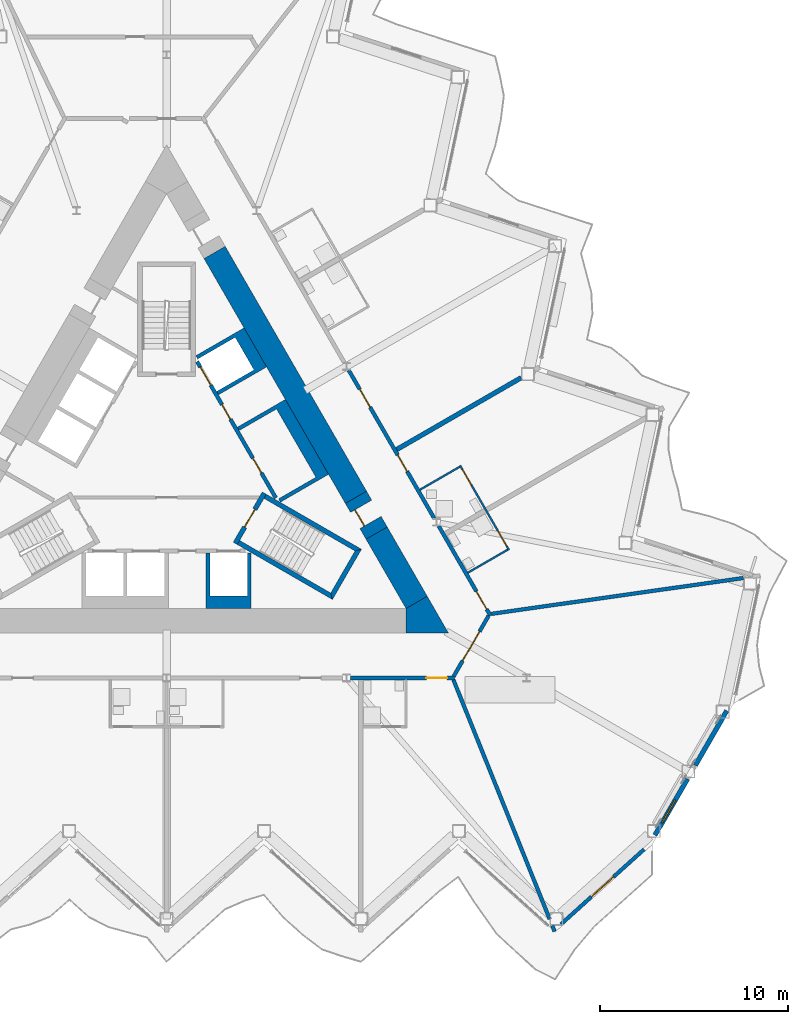
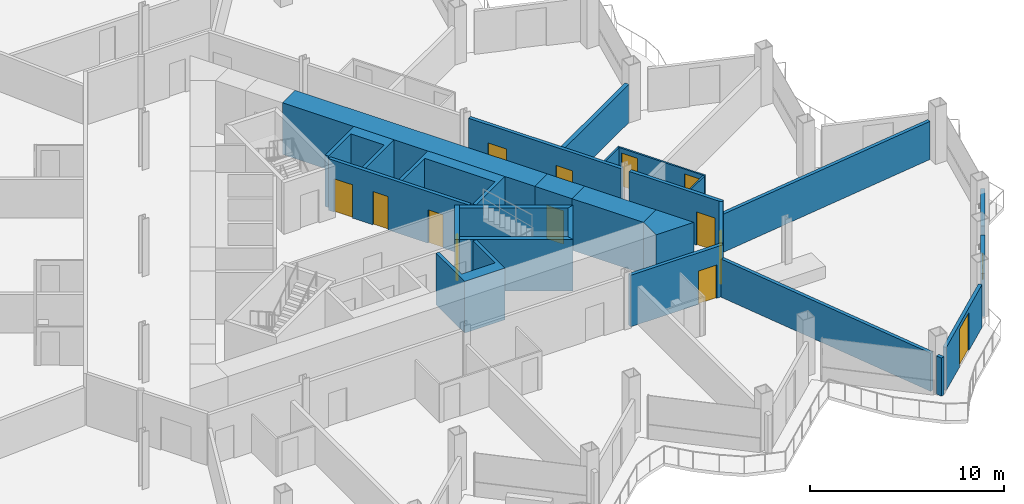
# One storey, part 13 of 24: 26 walls, 13 doors, 1 window, 14 openings.
"""IFC4 building model written with IfcOpenShell, lengths in metres."""

import ifcopenshell
import ifcopenshell.guid

model = None  # the IFC model being written
_history = None  # IfcOwnerHistory: only IFC2X3 demands one
_inside = {}  # id of a spatial element -> (the spatial element, [elements in it])
_under = {}  # id of a project, library or spatial element -> (it, [spatial elements below it])
_declared = {}  # id of a project -> (the project, [libraries it declares])
_typed = {}  # id of a type object -> (the type object, [elements of that type])
_made_of = {}  # id of a material, layer set ... -> (it, [elements and type objects made of it])


def new_model(schema):
    """Start an empty IFC model of exactly this schema.

    Asked for "IFC4X3", IfcOpenShell would pick the latest addendum, in which some entities
    have other attributes; the version numbers below select the first issue.
    IFC2X3 requires an IfcOwnerHistory on every rooted entity: one is made here for all.
    """
    global model, _history
    if schema == "IFC4X3":
        model = ifcopenshell.file(schema_version=(4, 3, 0, 0))
    else:
        model = ifcopenshell.file(schema=schema)
    _inside.clear()
    _under.clear()
    _declared.clear()
    _typed.clear()
    _made_of.clear()
    _history = None
    if model.schema == "IFC2X3":
        org = make("IfcOrganization", Name="unknown")
        user = make(
            "IfcPersonAndOrganization",
            ThePerson=make("IfcPerson", FamilyName="unknown"),
            TheOrganization=org,
        )
        app = make(
            "IfcApplication",
            ApplicationDeveloper=org,
            Version="unknown",
            ApplicationFullName="unknown",
            ApplicationIdentifier="unknown",
        )
        _history = make(
            "IfcOwnerHistory",
            OwningUser=user,
            OwningApplication=app,
            ChangeAction="ADDED",
            CreationDate=0,
        )
    return model


def make(cls, **values):
    """One entity of the class cls with the attributes given. An attribute that is None is left unset."""
    return model.create_entity(
        cls, **{name: value for name, value in values.items() if value is not None}
    )


def rooted(cls, **values):
    """An entity with a GlobalId (a new one), such as an element, a storey or a relation."""
    return make(cls, GlobalId=ifcopenshell.guid.new(), OwnerHistory=_history, **values)


def si_unit(unit_type, name, prefix=None):
    """IfcSIUnit, for example si_unit("LENGTHUNIT", "METRE", prefix="MILLI")."""
    return make("IfcSIUnit", UnitType=unit_type, Prefix=prefix, Name=name)


def assignment(units):
    """IfcUnitAssignment: the units of a project."""
    return None if units is None else make("IfcUnitAssignment", Units=units)


def point(xyz):
    """IfcCartesianPoint."""
    return None if xyz is None else make("IfcCartesianPoint", Coordinates=xyz)


def direction(xyz):
    """IfcDirection."""
    return None if xyz is None else make("IfcDirection", DirectionRatios=xyz)


def frame(location, z_axis=None, x_axis=None):
    """IfcAxis2Placement3D, a coordinate frame: its origin and axes. An axis left out is left unset."""
    return make(
        "IfcAxis2Placement3D",
        Location=point(location),
        Axis=direction(z_axis),
        RefDirection=direction(x_axis),
    )


def frame_2d(location, x_axis=None):
    """IfcAxis2Placement2D, a coordinate frame in the plane: its origin and x axis."""
    return make(
        "IfcAxis2Placement2D", Location=point(location), RefDirection=direction(x_axis)
    )


def origin():
    """The frame at (0, 0, 0) with its axes left unset."""
    return frame((0.0, 0.0, 0.0))


def place(relative_to, where):
    """IfcLocalPlacement: puts the frame where relative to a parent placement (None: the world)."""
    return make(
        "IfcLocalPlacement", PlacementRelTo=relative_to, RelativePlacement=where
    )


def context(
    kind, dimensions, precision=None, world=None, true_north=None, identifier=None
):
    """IfcGeometricRepresentationContext, for example the 3D "Model" context."""
    return make(
        "IfcGeometricRepresentationContext",
        ContextIdentifier=identifier,
        ContextType=kind,
        CoordinateSpaceDimension=dimensions,
        Precision=precision,
        WorldCoordinateSystem=world,
        TrueNorth=true_north,
    )


def subcontext(parent, identifier, kind, view, scale=None):
    """IfcGeometricRepresentationSubContext, for example "Body" below "Model"."""
    return make(
        "IfcGeometricRepresentationSubContext",
        ContextIdentifier=identifier,
        ContextType=kind,
        ParentContext=parent,
        TargetScale=scale,
        TargetView=view,
    )


def project(units=None, contexts=None):
    """IfcProject with its units and contexts."""
    return rooted(
        "IfcProject",
        Name="project",
        RepresentationContexts=contexts,
        UnitsInContext=assignment(units),
    )


def spatial(cls, under=None, at=None, **own):
    """A site, building, storey or space (cls), placed at a placement, below another one or the project."""
    s = rooted(cls, ObjectPlacement=at, **own)
    if under is not None:
        _under.setdefault(under.id(), (under, []))[1].append(s)
    return s


def polyline(points):
    """IfcPolyline through the points."""
    return make("IfcPolyline", Points=[point(p) for p in points])


def profile(cls, at=None, kind="AREA", **sizes):
    """A parametric profile (cls). Its sizes go by their IFC names, for example OverallWidth=200.0."""
    return make(cls, ProfileType=kind, Position=at, **sizes)


def rectangle(**sizes):
    """IfcRectangleProfileDef."""
    return profile("IfcRectangleProfileDef", **sizes)


def outline(outer, holes=None, kind="AREA"):
    """IfcArbitraryClosedProfileDef: a profile drawn as a closed curve; with holes, ...WithVoids."""
    if holes is None:
        return make("IfcArbitraryClosedProfileDef", ProfileType=kind, OuterCurve=outer)
    return make(
        "IfcArbitraryProfileDefWithVoids",
        ProfileType=kind,
        OuterCurve=outer,
        InnerCurves=holes,
    )


def extrude(swept, where, along, depth):
    """IfcExtrudedAreaSolid: the profile swept, set in the frame where, extruded along a direction by depth."""
    return make(
        "IfcExtrudedAreaSolid",
        SweptArea=swept,
        Position=where,
        ExtrudedDirection=direction(along),
        Depth=depth,
    )


def shape(context_of_items, identifier, shape_type, items):
    """IfcShapeRepresentation: the items that make up one representation, for example the "Body"."""
    return make(
        "IfcShapeRepresentation",
        ContextOfItems=context_of_items,
        RepresentationIdentifier=identifier,
        RepresentationType=shape_type,
        Items=items,
    )


def material(Name=None, Category=None):
    """IfcMaterial."""
    return make("IfcMaterial", Name=Name, Category=Category)


def layer(
    of_material, thickness, ventilated=None, Name=None, Category=None, Priority=None
):
    """IfcMaterialLayer: one layer of a wall or slab, of a material (None: an air gap)."""
    return make(
        "IfcMaterialLayer",
        Material=of_material,
        LayerThickness=thickness,
        IsVentilated=ventilated,
        Name=Name,
        Category=Category,
        Priority=Priority,
    )


def layer_set(layers, Name=None):
    """IfcMaterialLayerSet."""
    return make("IfcMaterialLayerSet", MaterialLayers=layers, LayerSetName=Name)


def made_of(thing, what):
    """Note that an element or type object is made of a material, layer set ...; save() writes the relation."""
    if what is not None:
        _made_of.setdefault(what.id(), (what, []))[1].append(thing)
    return thing


def type_object(cls, material=None, **own):
    """A type object (cls), such as IfcWallType, which elements share."""
    return made_of(rooted(cls, **own), material)


def element(
    cls,
    number,
    at=None,
    inside=None,
    cuts=None,
    type_object=None,
    material=None,
    context=None,
    identifier="Body",
    shape_type=None,
    held_by="IfcProductDefinitionShape",
    body=None,
    shapes=None,
    **own,
):
    """One element of the class cls, such as IfcWall. Its Tag is "e" and its number.

    at: its placement. inside: the storey or other place that contains it. cuts: it is an
    opening in that element (IfcRelVoidsElement). A single representation is given by context,
    identifier, shape_type and body (its items); several are given by shapes. held_by: the class
    of the entity that holds the representations. save() writes the other relations.
    """
    e = rooted(cls, Tag="e%d" % number, ObjectPlacement=at, **own)
    if body is not None:
        shapes = [shape(context, identifier, shape_type, body)]
    if shapes is not None:
        e.Representation = make(held_by, Representations=shapes)
    if inside is not None:
        _inside.setdefault(inside.id(), (inside, []))[1].append(e)
    if cuts is not None:
        rooted(
            "IfcRelVoidsElement", RelatingBuildingElement=cuts, RelatedOpeningElement=e
        )
    if type_object is not None:
        _typed.setdefault(type_object.id(), (type_object, []))[1].append(e)
    return made_of(e, material)


def fill(opening, filler):
    """IfcRelFillsElement: the door or window that sits in an opening."""
    return rooted(
        "IfcRelFillsElement",
        RelatingOpeningElement=opening,
        RelatedBuildingElement=filler,
    )


def aggregate(whole, parts):
    """IfcRelAggregates: a whole, such as a stair, and the parts it consists of."""
    return rooted("IfcRelAggregates", RelatingObject=whole, RelatedObjects=parts)


def save(model, path):
    """Write the relations noted so far, then the file.

    IfcRelAggregates (storeys below a building ...), IfcRelContainedInSpatialStructure (elements
    in a storey), IfcRelDefinesByType, IfcRelAssociatesMaterial and IfcRelDeclares: one each for
    every whole, place, type object, material and project.
    """
    for whole, parts in _under.values():
        aggregate(whole, parts)
    for where, things in _inside.values():
        rooted(
            "IfcRelContainedInSpatialStructure",
            RelatedElements=things,
            RelatingStructure=where,
        )
    for kind, things in _typed.values():
        rooted("IfcRelDefinesByType", RelatedObjects=things, RelatingType=kind)
    for what, things in _made_of.values():
        rooted("IfcRelAssociatesMaterial", RelatedObjects=things, RelatingMaterial=what)
    for by, libraries in _declared.values():
        rooted("IfcRelDeclares", RelatingContext=by, RelatedDefinitions=libraries)
    model.write(path)


model = new_model("IFC4")

# Units and contexts
model_context = context("Model", 3, precision=1e-05, world=origin(), true_north=direction((0.0, 1.0)))
body_context = subcontext(model_context, "Body", "Model", "MODEL_VIEW")
ifc_project = project(units=[si_unit("LENGTHUNIT", "METRE"), si_unit("AREAUNIT", "SQUARE_METRE"), si_unit("VOLUMEUNIT", "CUBIC_METRE"), si_unit("PLANEANGLEUNIT", "RADIAN"), si_unit("MASSUNIT", "GRAM", prefix="KILO")], contexts=[model_context])

# Site, building, storey
site_placement = place(None, origin())
site = spatial("IfcSite", under=ifc_project, at=site_placement, CompositionType="ELEMENT")
building_placement = place(site_placement, origin())
building = spatial("IfcBuilding", under=site, at=building_placement, Name="Cormorant Prow Tower", CompositionType="ELEMENT")
storey_placement = place(building_placement, frame((0.0, 0.0, 231.0)))
storey = spatial("IfcBuildingStorey", under=building, at=storey_placement, Name="L50", CompositionType="ELEMENT", Elevation=231.0)

# Walls
ifc_material_1 = material(Name="Concrete 8000 psi", Category="concrete")
ifc_layer_1 = layer(ifc_material_1, 1.300048828125)
ifc_layer_set_1 = layer_set([ifc_layer_1], Name="Concrete 8000 psi")
wall_type_1 = type_object("IfcWallType", Name="Core shear wall 1300", PredefinedType="SHEAR", material=ifc_layer_set_1)
wall_1_placement = place(storey_placement, frame((10.081298828125, -1.440673828125, 0.0), z_axis=(0.0, 0.0, 1.0), x_axis=(-0.500012180433, 0.866018371294, 0.0)))
element("IfcWall", 1, at=wall_1_placement, inside=storey, type_object=wall_type_1, Name="Core wall", PredefinedType="SHEAR", context=body_context, shape_type="SweptSolid", body=[
    extrude(rectangle(XDim=15.05029296875, YDim=1.300048828125, at=frame_2d((7.525146484375, 0.0))), origin(), (0.0, 0.0, 1.0), 3.25),
])
wall_2_placement = place(storey_placement, frame((13.311279296875, -7.035400390625, 0.0), z_axis=(0.0, 0.0, 1.0), x_axis=(-0.500003555838, 0.866023350811, 0.0)))
element("IfcWall", 2, at=wall_2_placement, inside=storey, type_object=wall_type_1, Name="Core wall", PredefinedType="SHEAR", context=body_context, shape_type="SweptSolid", body=[
    extrude(rectangle(XDim=4.26025390625, YDim=1.300048828125, at=frame_2d((2.130126953125, 0.0))), origin(), (0.0, 0.0, 1.0), 3.25),
])
wall_3_placement = place(storey_placement, origin())
element("IfcWall", 3, at=wall_3_placement, inside=storey, type_object=wall_type_1, Name="Core wall corner", PredefinedType="SHEAR", context=body_context, shape_type="SweptSolid", body=[
    extrude(outline(polyline([(12.748291015625, -8.660400390625), (12.748291015625, -7.3603515625), (13.874267578125, -6.710205078125), (15.0, -8.660400390625), (12.748291015625, -8.660400390625)])), origin(), (0.0, 0.0, 1.0), 3.25),
])

# Wall, opening, door
wall_4_placement = place(storey_placement, frame((11.18115234375, -3.345947265625, 0.0), z_axis=(0.0, 0.0, 1.0), x_axis=(-0.499946605688, 0.86605622881, 0.0)))
wall_4 = element("IfcWall", 4, at=wall_4_placement, inside=storey, type_object=wall_type_1, Name="Core wall door panel", PredefinedType="SHEAR", context=body_context, shape_type="SweptSolid", body=[
    extrude(rectangle(XDim=2.199951171875, YDim=1.300048828125, at=frame_2d((1.10009765625, 0.0))), origin(), (0.0, 0.0, 1.0), 3.25),
])
opening_1_placement = place(wall_4_placement, frame((0.64990234375, 0.0, 0.0)))
opening_1 = element("IfcOpeningElement", 5, at=opening_1_placement, cuts=wall_4, Name="Opening L50-C15", PredefinedType="OPENING", context=body_context, shape_type="SweptSolid", body=[
    extrude(rectangle(XDim=1.0, YDim=2.10009765625, at=frame_2d((0.5, 1.050048828125))), frame((0.0, 0.659912109375, 0.0), z_axis=(0.0, -1.0, 0.0), x_axis=(1.0, 0.0, 0.0)), (0.0, 0.0, 1.0), 1.320068359375),
])
ifc_material_2 = material(Name="Painted steel", Category="steel")
door_type_1 = type_object("IfcDoorType", Name="Service door 1000x2100", OperationType="NOTDEFINED", PredefinedType="DOOR", material=ifc_material_2)
door_1_placement = place(opening_1_placement, origin())
door_1 = element("IfcDoor", 6, at=door_1_placement, inside=storey, type_object=door_type_1, Name="Core door, Electrical room", OperationType="SINGLE_SWING_LEFT", OverallHeight=2.10009765625, OverallWidth=1.0, PredefinedType="DOOR", context=body_context, shape_type="SweptSolid", body=[
    extrude(rectangle(XDim=1.0, YDim=2.10009765625, at=frame_2d((0.5, 1.050048828125))), frame((0.0, 0.40478515625, 0.0), z_axis=(0.0, -1.0, 0.0), x_axis=(1.0, 0.0, 0.0)), (0.0, 0.0, 1.0), 0.050048828125),
])
fill(opening_1, door_1)

# Wall, openings, doors
ifc_material_3 = material(Name="Gypsum board corridor wall")
ifc_layer_2 = layer(ifc_material_3, 0.199951171875)
ifc_layer_set_2 = layer_set([ifc_layer_2], Name="Gypsum board corridor wall")
wall_type_2 = type_object("IfcWallType", Name="Corridor wall 200", PredefinedType="PARTITIONING", material=ifc_layer_set_2)
wall_5_placement = place(storey_placement, frame((9.699462890625, 5.320556640625, 0.0), z_axis=(0.0, 0.0, 1.0), x_axis=(0.49998193945, -0.866035830797, 0.0)))
wall_5 = element("IfcWall", 7, at=wall_5_placement, inside=storey, type_object=wall_type_2, Name="Corridor wall", PredefinedType="PARTITIONING", context=body_context, shape_type="SweptSolid", body=[
    extrude(rectangle(XDim=9.094482421875, YDim=0.199951171875, at=frame_2d((4.54736328125, 0.0))), origin(), (0.0, 0.0, 1.0), 3.25),
])
opening_2_placement = place(wall_5_placement, frame((5.2119140625, 0.0, 0.0)))
opening_2 = element("IfcOpeningElement", 8, at=opening_2_placement, cuts=wall_5, Name="Opening L50-F12", PredefinedType="OPENING", context=body_context, shape_type="SweptSolid", body=[
    extrude(rectangle(XDim=1.0, YDim=2.10009765625, at=frame_2d((0.5, 1.050048828125))), frame((0.0, 0.10986328125, 0.0), z_axis=(0.0, -1.0, 0.0), x_axis=(1.0, 0.0, 0.0)), (0.0, 0.0, 1.0), 0.219970703125),
])
opening_3_placement = place(wall_5_placement, frame((1.16162109375, 0.0, 0.0)))
opening_3 = element("IfcOpeningElement", 9, at=opening_3_placement, cuts=wall_5, Name="Opening L50-F14", PredefinedType="OPENING", context=body_context, shape_type="SweptSolid", body=[
    extrude(rectangle(XDim=1.10009765625, YDim=2.10009765625, at=frame_2d((0.550048828125, 1.050048828125))), frame((0.0, 0.10986328125, 0.0), z_axis=(0.0, -1.0, 0.0), x_axis=(1.0, 0.0, 0.0)), (0.0, 0.0, 1.0), 0.219970703125),
])
ifc_material_4 = material(Name="Timber door leaf", Category="wood")
door_type_2 = type_object("IfcDoorType", Name="Flat or room entrance door 1000x2100", OperationType="NOTDEFINED", PredefinedType="DOOR", material=ifc_material_4)
door_2_placement = place(opening_2_placement, origin())
door_2 = element("IfcDoor", 10, at=door_2_placement, inside=storey, type_object=door_type_2, Name="Guest room door", OperationType="SINGLE_SWING_LEFT", OverallHeight=2.10009765625, OverallWidth=1.0, PredefinedType="DOOR", context=body_context, shape_type="SweptSolid", body=[
    extrude(rectangle(XDim=1.0, YDim=2.10009765625, at=frame_2d((0.5, 1.050048828125))), frame((0.0, 0.02490234375, 0.0), z_axis=(0.0, -1.0, 0.0), x_axis=(1.0, 0.0, 0.0)), (0.0, 0.0, 1.0), 0.050048828125),
])
fill(opening_2, door_2)
ifc_material_5 = material(Name="Timber door leaf", Category="wood")
door_type_3 = type_object("IfcDoorType", Name="Suite entrance door 1100x2100", OperationType="NOTDEFINED", PredefinedType="DOOR", material=ifc_material_5)
door_3_placement = place(opening_3_placement, origin())
door_3 = element("IfcDoor", 11, at=door_3_placement, inside=storey, type_object=door_type_3, Name="Junior suite door", OperationType="SINGLE_SWING_LEFT", OverallHeight=2.10009765625, OverallWidth=1.10009765625, PredefinedType="DOOR", context=body_context, shape_type="SweptSolid", body=[
    extrude(rectangle(XDim=1.10009765625, YDim=2.10009765625, at=frame_2d((0.550048828125, 1.050048828125))), frame((0.0, 0.02490234375, 0.0), z_axis=(0.0, -1.0, 0.0), x_axis=(1.0, 0.0, 0.0)), (0.0, 0.0, 1.0), 0.050048828125),
])
fill(opening_3, door_3)

# Wall, opening, door
wall_6_placement = place(storey_placement, frame((9.7880859375, -11.060302734375, 0.0), z_axis=(0.0, 0.0, 1.0), x_axis=(1.0, 0.0, 0.0)))
wall_6 = element("IfcWall", 12, at=wall_6_placement, inside=storey, type_object=wall_type_2, Name="Corridor wall", PredefinedType="PARTITIONING", context=body_context, shape_type="SweptSolid", body=[
    extrude(rectangle(XDim=5.542724609375, YDim=0.199951171875, at=frame_2d((2.771484375, 0.0))), origin(), (0.0, 0.0, 1.0), 3.25),
])
opening_4_placement = place(wall_6_placement, frame((4.039794921875, 0.0, 0.0)))
opening_4 = element("IfcOpeningElement", 13, at=opening_4_placement, cuts=wall_6, Name="Opening L50-F07", PredefinedType="OPENING", context=body_context, shape_type="SweptSolid", body=[
    extrude(rectangle(XDim=1.10009765625, YDim=2.10009765625, at=frame_2d((0.550048828125, 1.050048828125))), frame((0.0, 0.10986328125, 0.0), z_axis=(0.0, -1.0, 0.0), x_axis=(1.0, 0.0, 0.0)), (0.0, 0.0, 1.0), 0.219970703125),
])
door_4_placement = place(opening_4_placement, origin())
door_4 = element("IfcDoor", 14, at=door_4_placement, inside=storey, type_object=door_type_3, Name="Junior suite door", OperationType="SINGLE_SWING_RIGHT", OverallHeight=2.10009765625, OverallWidth=1.10009765625, PredefinedType="DOOR", context=body_context, shape_type="SweptSolid", body=[
    extrude(rectangle(XDim=1.10009765625, YDim=2.10009765625, at=frame_2d((0.550048828125, 1.050048828125))), frame((0.0, 0.02490234375, 0.0), z_axis=(0.0, -1.0, 0.0), x_axis=(1.0, 0.0, 0.0)), (0.0, 0.0, 1.0), 0.050048828125),
])
fill(opening_4, door_4)

wall_7_placement = place(storey_placement, frame((14.488525390625, -2.974609375, 0.0), z_axis=(0.0, 0.0, 1.0), x_axis=(0.500017753321, -0.866015153657, 0.0)))
wall_7 = element("IfcWall", 15, at=wall_7_placement, inside=storey, type_object=wall_type_2, Name="Corridor wall", PredefinedType="PARTITIONING", context=body_context, shape_type="SweptSolid", body=[
    extrude(rectangle(XDim=5.510498046875, YDim=0.199951171875, at=frame_2d((2.75537109375, 0.0))), origin(), (0.0, 0.0, 1.0), 3.25),
])
opening_5_placement = place(wall_7_placement, frame((4.009765625, 0.0, 0.0)))
opening_5 = element("IfcOpeningElement", 16, at=opening_5_placement, cuts=wall_7, Name="Opening L50-F10", PredefinedType="OPENING", context=body_context, shape_type="SweptSolid", body=[
    extrude(rectangle(XDim=1.10009765625, YDim=2.10009765625, at=frame_2d((0.550048828125, 1.050048828125))), frame((0.0, 0.10986328125, 0.0), z_axis=(0.0, -1.0, 0.0), x_axis=(1.0, 0.0, 0.0)), (0.0, 0.0, 1.0), 0.219970703125),
])
door_5_placement = place(opening_5_placement, origin())
door_5 = element("IfcDoor", 17, at=door_5_placement, inside=storey, type_object=door_type_3, Name="Junior suite door", OperationType="SINGLE_SWING_RIGHT", OverallHeight=2.10009765625, OverallWidth=1.10009765625, PredefinedType="DOOR", context=body_context, shape_type="SweptSolid", body=[
    extrude(rectangle(XDim=1.10009765625, YDim=2.10009765625, at=frame_2d((0.550048828125, 1.050048828125))), frame((0.0, 0.02490234375, 0.0), z_axis=(0.0, -1.0, 0.0), x_axis=(1.0, 0.0, 0.0)), (0.0, 0.0, 1.0), 0.050048828125),
])
fill(opening_5, door_5)

wall_8_placement = place(storey_placement, frame((15.281005859375, -10.9736328125, 0.0), z_axis=(0.0, 0.0, 1.0), x_axis=(0.499958791762, 0.866049194065, 0.0)))
wall_8 = element("IfcWall", 18, at=wall_8_placement, inside=storey, type_object=wall_type_2, Name="Corridor wall", PredefinedType="PARTITIONING", context=body_context, shape_type="SweptSolid", body=[
    extrude(rectangle(XDim=3.725830078125, YDim=0.199951171875, at=frame_2d((1.86279296875, 0.0))), origin(), (0.0, 0.0, 1.0), 3.25),
])
opening_6_placement = place(wall_8_placement, frame((0.962890625, 0.0, 0.0)))
opening_6 = element("IfcOpeningElement", 19, at=opening_6_placement, cuts=wall_8, Name="Opening L50-F09", PredefinedType="OPENING", context=body_context, shape_type="SweptSolid", body=[
    extrude(rectangle(XDim=1.800048828125, YDim=2.10009765625, at=frame_2d((0.89990234375, 1.050048828125))), frame((0.0, 0.10986328125, 0.0), z_axis=(0.0, -1.0, 0.0), x_axis=(1.0, 0.0, 0.0)), (0.0, 0.0, 1.0), 0.219970703125),
])
ifc_material_6 = material(Name="Timber door leaf", Category="wood")
door_type_4 = type_object("IfcDoorType", Name="Double door 1800x2100", OperationType="DOUBLE_DOOR_SINGLE_SWING", PredefinedType="DOOR", material=ifc_material_6)
door_6_placement = place(opening_6_placement, origin())
door_6 = element("IfcDoor", 20, at=door_6_placement, inside=storey, type_object=door_type_4, Name="Co-working space door", OperationType="DOUBLE_DOOR_SINGLE_SWING", OverallHeight=2.10009765625, OverallWidth=1.800048828125, PredefinedType="DOOR", context=body_context, shape_type="SweptSolid", body=[
    extrude(rectangle(XDim=1.800048828125, YDim=2.10009765625, at=frame_2d((0.89990234375, 1.050048828125))), frame((0.0, 0.02490234375, 0.0), z_axis=(0.0, -1.0, 0.0), x_axis=(1.0, 0.0, 0.0)), (0.0, 0.0, 1.0), 0.050048828125),
])
fill(opening_6, door_6)

# Walls
ifc_material_7 = material(Name="Gypsum board demising wall")
ifc_layer_3 = layer(ifc_material_7, 0.199951171875)
ifc_layer_set_3 = layer_set([ifc_layer_3], Name="Gypsum board demising wall")
wall_type_3 = type_object("IfcWallType", Name="Demising wall 200", PredefinedType="PARTITIONING", material=ifc_layer_set_3)
wall_9_placement = place(storey_placement, frame((15.268310546875, -11.153076171875, 0.0), z_axis=(0.0, 0.0, 1.0), x_axis=(0.373096979113, -0.927792349708, 0.0)))
element("IfcWall", 21, at=wall_9_placement, inside=storey, type_object=wall_type_3, Name="Demising wall", PredefinedType="PARTITIONING", context=body_context, shape_type="SweptSolid", body=[
    extrude(rectangle(XDim=13.73583984375, YDim=0.199951171875, at=frame_2d((6.867919921875, 0.0))), origin(), (0.0, 0.0, 1.0), 2.404296875),
])
wall_10_placement = place(storey_placement, frame((17.29296875, -7.64599609375, 0.0), z_axis=(0.0, 0.0, 1.0), x_axis=(0.990042285303, 0.140770285614, 0.0)))
element("IfcWall", 22, at=wall_10_placement, inside=storey, type_object=wall_type_3, Name="Demising wall", PredefinedType="PARTITIONING", context=body_context, shape_type="SweptSolid", body=[
    extrude(rectangle(XDim=13.544921875, YDim=0.199951171875, at=frame_2d((6.7724609375, 0.0))), origin(), (0.0, 0.0, 1.0), 2.404296875),
])
wall_11_placement = place(storey_placement, frame((20.53369140625, -24.246826171875, 0.0), z_axis=(0.0, 0.0, 1.0), x_axis=(0.372801499492, -0.927911117498, 0.0)))
element("IfcWall", 23, at=wall_11_placement, inside=storey, type_object=wall_type_3, Name="Demising wall", PredefinedType="PARTITIONING", context=body_context, shape_type="SweptSolid", body=[
    extrude(rectangle(XDim=0.328125, YDim=0.199951171875, at=frame_2d((0.1640625, 0.0))), origin(), (0.0, 0.0, 1.0), 2.404296875),
])

# Wall, openings, doors
ifc_material_8 = material(Name="Gypsum board partition")
ifc_layer_4 = layer(ifc_material_8, 0.10009765625)
ifc_layer_set_4 = layer_set([ifc_layer_4], Name="Gypsum board partition")
wall_type_4 = type_object("IfcWallType", Name="Internal partition 100", PredefinedType="PARTITIONING", material=ifc_layer_set_4)
wall_12_placement = place(storey_placement, frame((15.626953125, 0.253662109375, 0.0), z_axis=(0.0, 0.0, 1.0), x_axis=(0.500027264788, -0.866009661879, 0.0)))
wall_12 = element("IfcWall", 24, at=wall_12_placement, inside=storey, type_object=wall_type_4, Name="Internal partition", PredefinedType="PARTITIONING", context=body_context, shape_type="SweptSolid", body=[
    extrude(rectangle(XDim=5.199951171875, YDim=0.10009765625, at=frame_2d((2.60009765625, 0.0))), origin(), (0.0, 0.0, 1.0), 2.404296875),
])
opening_7_placement = place(wall_12_placement, frame((4.0, 0.0, 0.0)))
opening_7 = element("IfcOpeningElement", 25, at=opening_7_placement, cuts=wall_12, Name="Opening L50-F11", PredefinedType="OPENING", context=body_context, shape_type="SweptSolid", body=[
    extrude(rectangle(XDim=0.949951171875, YDim=2.10009765625, at=frame_2d((0.47509765625, 1.050048828125))), frame((0.0, 0.06005859375, 0.0), z_axis=(0.0, -1.0, 0.0), x_axis=(1.0, 0.0, 0.0)), (0.0, 0.0, 1.0), 0.1201171875),
])
opening_8_placement = place(wall_12_placement, frame((0.25, 0.0, 0.0)))
opening_8 = element("IfcOpeningElement", 26, at=opening_8_placement, cuts=wall_12, Name="Opening L50-F13", PredefinedType="OPENING", context=body_context, shape_type="SweptSolid", body=[
    extrude(rectangle(XDim=0.949951171875, YDim=2.10009765625, at=frame_2d((0.47509765625, 1.050048828125))), frame((0.0, 0.06005859375, 0.0), z_axis=(0.0, -1.0, 0.0), x_axis=(1.0, 0.0, 0.0)), (0.0, 0.0, 1.0), 0.1201171875),
])
ifc_material_9 = material(Name="Timber door leaf", Category="wood")
door_type_5 = type_object("IfcDoorType", Name="Bathroom door 950x2100", OperationType="NOTDEFINED", PredefinedType="DOOR", material=ifc_material_9)
door_7_placement = place(opening_7_placement, origin())
door_7 = element("IfcDoor", 27, at=door_7_placement, inside=storey, type_object=door_type_5, Name="Junior suite door", OperationType="SINGLE_SWING_RIGHT", OverallHeight=2.10009765625, OverallWidth=0.949951171875, PredefinedType="DOOR", context=body_context, shape_type="SweptSolid", body=[
    extrude(rectangle(XDim=0.949951171875, YDim=2.10009765625, at=frame_2d((0.47509765625, 1.050048828125))), frame((0.0, 0.02490234375, 0.0), z_axis=(0.0, -1.0, 0.0), x_axis=(1.0, 0.0, 0.0)), (0.0, 0.0, 1.0), 0.050048828125),
])
fill(opening_7, door_7)
door_8_placement = place(opening_8_placement, origin())
door_8 = element("IfcDoor", 28, at=door_8_placement, inside=storey, type_object=door_type_5, Name="Guest room door", OperationType="SINGLE_SWING_LEFT", OverallHeight=2.10009765625, OverallWidth=0.949951171875, PredefinedType="DOOR", context=body_context, shape_type="SweptSolid", body=[
    extrude(rectangle(XDim=0.949951171875, YDim=2.10009765625, at=frame_2d((0.47509765625, 1.050048828125))), frame((0.0, 0.02490234375, 0.0), z_axis=(0.0, -1.0, 0.0), x_axis=(1.0, 0.0, 0.0)), (0.0, 0.0, 1.0), 0.050048828125),
])
fill(opening_8, door_8)

# Walls
wall_13_placement = place(storey_placement, frame((16.037109375, -5.456298828125, 0.0), z_axis=(0.0, 0.0, 1.0), x_axis=(0.865989751695, 0.500061746146, 0.0)))
element("IfcWall", 29, at=wall_13_placement, inside=storey, type_object=wall_type_4, Name="Internal partition", PredefinedType="PARTITIONING", context=body_context, shape_type="SweptSolid", body=[
    extrude(rectangle(XDim=2.449951171875, YDim=0.10009765625, at=frame_2d((1.22509765625, 0.0))), origin(), (0.0, 0.0, 1.0), 2.404296875),
])
wall_14_placement = place(storey_placement, frame((13.487060546875, -1.03955078125, 0.0), z_axis=(0.0, 0.0, 1.0), x_axis=(0.866032905446, 0.499987006516, 0.0)))
element("IfcWall", 30, at=wall_14_placement, inside=storey, type_object=wall_type_4, Name="Internal partition", PredefinedType="PARTITIONING", context=body_context, shape_type="SweptSolid", body=[
    extrude(rectangle(XDim=2.44970703125, YDim=0.10009765625, at=frame_2d((1.224853515625, 0.0))), origin(), (0.0, 0.0, 1.0), 2.404296875),
])

# Wall, openings, doors
ifc_material_10 = material(Name="Concrete 5000 psi", Category="concrete")
ifc_layer_5 = layer(ifc_material_10, 0.199951171875)
ifc_layer_set_5 = layer_set([ifc_layer_5], Name="Concrete 5000 psi")
wall_type_5 = type_object("IfcWallType", Name="Lift lobby wall 200", PredefinedType="SOLIDWALL", material=ifc_layer_set_5)
wall_15_placement = place(storey_placement, frame((5.817138671875, -1.4755859375, 0.0), z_axis=(0.0, 0.0, 1.0), x_axis=(-0.500002616675, 0.866023893041, 0.0)))
wall_15 = element("IfcWall", 31, at=wall_15_placement, inside=storey, type_object=wall_type_5, Name="Lift lobby wall, ENE block", PredefinedType="SOLIDWALL", context=body_context, shape_type="SweptSolid", body=[
    extrude(rectangle(XDim=8.373046875, YDim=0.199951171875, at=frame_2d((4.1865234375, 0.0))), origin(), (0.0, 0.0, 1.0), 3.25),
])
opening_9_placement = place(wall_15_placement, frame((1.53662109375, 0.0, 0.0)))
opening_9 = element("IfcOpeningElement", 32, at=opening_9_placement, cuts=wall_15, Name="Opening L50-C05", PredefinedType="OPENING", context=body_context, shape_type="SweptSolid", body=[
    extrude(rectangle(XDim=0.89990234375, YDim=2.10009765625, at=frame_2d((0.449951171875, 1.050048828125))), frame((0.0, 0.10986328125, 0.0), z_axis=(0.0, -1.0, 0.0), x_axis=(1.0, 0.0, 0.0)), (0.0, 0.0, 1.0), 0.219970703125),
])
opening_10_placement = place(wall_15_placement, frame((4.836669921875, 0.0, 0.0)))
opening_10 = element("IfcOpeningElement", 33, at=opening_10_placement, cuts=wall_15, Name="Opening L50-C06", PredefinedType="OPENING", context=body_context, shape_type="SweptSolid", body=[
    extrude(rectangle(XDim=0.89990234375, YDim=2.10009765625, at=frame_2d((0.449951171875, 1.050048828125))), frame((0.0, 0.10986328125, 0.0), z_axis=(0.0, -1.0, 0.0), x_axis=(1.0, 0.0, 0.0)), (0.0, 0.0, 1.0), 0.219970703125),
])
opening_11_placement = place(wall_15_placement, frame((6.9365234375, 0.0, 0.0)))
opening_11 = element("IfcOpeningElement", 34, at=opening_11_placement, cuts=wall_15, Name="Opening L50-C07", PredefinedType="OPENING", context=body_context, shape_type="SweptSolid", body=[
    extrude(rectangle(XDim=1.10009765625, YDim=2.10009765625, at=frame_2d((0.550048828125, 1.050048828125))), frame((0.0, 0.10986328125, 0.0), z_axis=(0.0, -1.0, 0.0), x_axis=(1.0, 0.0, 0.0)), (0.0, 0.0, 1.0), 0.219970703125),
])
ifc_material_11 = material(Name="Painted steel", Category="steel")
door_type_6 = type_object("IfcDoorType", Name="Lift landing door 1100x2100", OperationType="SLIDING_TO_LEFT", PredefinedType="DOOR", material=ifc_material_11)
door_9_placement = place(opening_11_placement, origin())
door_9 = element("IfcDoor", 35, at=door_9_placement, inside=storey, type_object=door_type_6, Name="Landing door MR1", OperationType="SLIDING_TO_LEFT", OverallHeight=2.10009765625, OverallWidth=1.10009765625, PredefinedType="DOOR", context=body_context, shape_type="SweptSolid", body=[
    extrude(rectangle(XDim=1.10009765625, YDim=2.10009765625, at=frame_2d((0.550048828125, 1.050048828125))), frame((0.0, 0.02490234375, 0.0), z_axis=(0.0, -1.0, 0.0), x_axis=(1.0, 0.0, 0.0)), (0.0, 0.0, 1.0), 0.050048828125),
])
fill(opening_11, door_9)
ifc_material_12 = material(Name="Painted steel", Category="steel")
door_type_7 = type_object("IfcDoorType", Name="Service door 900x2100", OperationType="NOTDEFINED", PredefinedType="DOOR", material=ifc_material_12)
door_10_placement = place(opening_9_placement, origin())
door_10 = element("IfcDoor", 36, at=door_10_placement, inside=storey, type_object=door_type_7, Name="Service door, Telecom room", OperationType="SINGLE_SWING_LEFT", OverallHeight=2.10009765625, OverallWidth=0.89990234375, PredefinedType="DOOR", context=body_context, shape_type="SweptSolid", body=[
    extrude(rectangle(XDim=0.89990234375, YDim=2.10009765625, at=frame_2d((0.449951171875, 1.050048828125))), frame((0.0, 0.02490234375, 0.0), z_axis=(0.0, -1.0, 0.0), x_axis=(1.0, 0.0, 0.0)), (0.0, 0.0, 1.0), 0.050048828125),
])
fill(opening_9, door_10)
door_11_placement = place(opening_10_placement, origin())
door_11 = element("IfcDoor", 37, at=door_11_placement, inside=storey, type_object=door_type_7, Name="Service door, Electrical room", OperationType="SINGLE_SWING_RIGHT", OverallHeight=2.10009765625, OverallWidth=0.89990234375, PredefinedType="DOOR", context=body_context, shape_type="SweptSolid", body=[
    extrude(rectangle(XDim=0.89990234375, YDim=2.10009765625, at=frame_2d((0.449951171875, 1.050048828125))), frame((0.0, 0.02490234375, 0.0), z_axis=(0.0, -1.0, 0.0), x_axis=(1.0, 0.0, 0.0)), (0.0, 0.0, 1.0), 0.050048828125),
])
fill(opening_10, door_11)

# Walls
ifc_material_13 = material(Name="Concrete 8000 psi", Category="concrete")
ifc_layer_6 = layer(ifc_material_13, 0.199951171875)
ifc_layer_set_6 = layer_set([ifc_layer_6], Name="Concrete 8000 psi")
wall_type_6 = type_object("IfcWallType", Name="Lift shaft wall 200", PredefinedType="SHEAR", material=ifc_layer_set_6)
wall_16_placement = place(storey_placement, origin())
element("IfcWall", 38, at=wall_16_placement, inside=storey, type_object=wall_type_6, Name="Lift shaft walls, S block", PredefinedType="SHEAR", context=body_context, shape_type="SweptSolid", body=[
    extrude(outline(polyline([(2.10009765625, -7.3603515625), (2.10009765625, -4.39990234375), (2.300048828125, -4.39990234375), (2.300048828125, -6.699951171875), (4.300048828125, -6.699951171875), (4.300048828125, -4.39990234375), (4.5, -4.39990234375), (4.5, -7.3603515625), (2.10009765625, -7.3603515625)])), origin(), (0.0, 0.0, 1.0), 3.25),
])
wall_17_placement = place(storey_placement, origin())
element("IfcWall", 39, at=wall_17_placement, inside=storey, type_object=wall_type_6, Name="Lift shaft walls, ENE block", PredefinedType="SHEAR", context=body_context, shape_type="SweptSolid", body=[
    extrude(outline(polyline([(6.32421875, 3.7666015625), (8.624267578125, -0.217041015625), (8.230712890625, -0.444091796875), (6.060546875, -1.697021484375), (5.96044921875, -1.52392578125), (7.952392578125, -0.373779296875), (5.852294921875, 3.263427734375), (3.860595703125, 2.11328125), (3.760498046875, 2.28662109375), (5.930908203125, 3.53955078125), (6.32421875, 3.7666015625)])), origin(), (0.0, 0.0, 1.0), 3.25),
])
wall_18_placement = place(storey_placement, origin())
element("IfcWall", 40, at=wall_18_placement, inside=storey, type_object=wall_type_6, Name="Lift shaft walls, ENE block", PredefinedType="SHEAR", context=body_context, shape_type="SweptSolid", body=[
    extrude(outline(polyline([(5.32421875, 5.498779296875), (4.930908203125, 5.271728515625), (2.760498046875, 4.018798828125), (2.660400390625, 4.19189453125), (4.65234375, 5.341796875), (3.65234375, 7.073974609375), (1.660400390625, 5.923828125), (1.560546875, 6.09716796875), (3.730712890625, 7.35009765625), (4.124267578125, 7.5771484375), (5.32421875, 5.498779296875)])), origin(), (0.0, 0.0, 1.0), 3.25),
])
ifc_material_14 = material(Name="Concrete 8000 psi", Category="concrete")
ifc_layer_7 = layer(ifc_material_14, 0.25)
ifc_layer_set_7 = layer_set([ifc_layer_7], Name="Concrete 8000 psi")
wall_type_7 = type_object("IfcWallType", Name="Stair wall 250", PredefinedType="SHEAR", material=ifc_layer_set_7)
wall_19_placement = place(storey_placement, origin())
element("IfcWall", 41, at=wall_19_placement, inside=storey, type_object=wall_type_7, Name="Stair ST2 enclosure wall (flank)", PredefinedType="SHEAR", context=body_context, shape_type="SweptSolid", body=[
    extrude(outline(polyline([(3.76318359375, -3.95556640625), (8.82958984375, -6.880615234375), (8.738037109375, -6.5390625), (3.88818359375, -3.739013671875), (3.76318359375, -3.95556640625)])), origin(), (0.0, 0.0, 1.0), 3.25),
])
wall_20_placement = place(storey_placement, origin())
element("IfcWall", 42, at=wall_20_placement, inside=storey, type_object=wall_type_7, Name="Stair ST2 enclosure wall (end)", PredefinedType="SHEAR", context=body_context, shape_type="SweptSolid", body=[
    extrude(outline(polyline([(8.82958984375, -6.880615234375), (10.37353515625, -4.206298828125), (10.031982421875, -4.2978515625), (8.738037109375, -6.5390625), (8.82958984375, -6.880615234375)])), origin(), (0.0, 0.0, 1.0), 3.25),
])
wall_21_placement = place(storey_placement, origin())
element("IfcWall", 43, at=wall_21_placement, inside=storey, type_object=wall_type_7, Name="Stair ST2 enclosure wall (flank)", PredefinedType="SHEAR", context=body_context, shape_type="SweptSolid", body=[
    extrude(outline(polyline([(10.031982421875, -4.2978515625), (10.37353515625, -4.206298828125), (5.30712890625, -1.28125), (5.18212890625, -1.497802734375), (10.031982421875, -4.2978515625)])), origin(), (0.0, 0.0, 1.0), 3.25),
])

# Wall, opening, door
wall_22_placement = place(storey_placement, frame((3.655029296875, -3.89306640625, 0.0), z_axis=(0.0, 0.0, 1.0), x_axis=(0.499982516597, 0.866035497597, 0.0)))
wall_22 = element("IfcWall", 44, at=wall_22_placement, inside=storey, type_object=wall_type_7, Name="Stair ST2 door wall", PredefinedType="SHEAR", context=body_context, shape_type="SweptSolid", body=[
    extrude(rectangle(XDim=3.087890625, YDim=0.25, at=frame_2d((1.5439453125, 0.0))), origin(), (0.0, 0.0, 1.0), 3.25),
])
opening_12_placement = place(wall_22_placement, frame((0.993896484375, 0.0, 0.0)))
opening_12 = element("IfcOpeningElement", 45, at=opening_12_placement, cuts=wall_22, Name="Opening L50-C12", PredefinedType="OPENING", context=body_context, shape_type="SweptSolid", body=[
    extrude(rectangle(XDim=1.10009765625, YDim=2.10009765625, at=frame_2d((0.550048828125, 1.050048828125))), frame((0.0, 0.135009765625, 0.0), z_axis=(0.0, -1.0, 0.0), x_axis=(1.0, 0.0, 0.0)), (0.0, 0.0, 1.0), 0.27001953125),
])
ifc_material_15 = material(Name="Painted steel", Category="steel")
door_type_8 = type_object("IfcDoorType", Name="Stair door 1100x2100", OperationType="NOTDEFINED", PredefinedType="DOOR", material=ifc_material_15)
door_12_placement = place(opening_12_placement, origin())
door_12 = element("IfcDoor", 46, at=door_12_placement, inside=storey, type_object=door_type_8, Name="Stair ST2 door", OperationType="SINGLE_SWING_RIGHT", OverallHeight=2.10009765625, OverallWidth=1.10009765625, PredefinedType="DOOR", context=body_context, shape_type="SweptSolid", body=[
    extrude(rectangle(XDim=1.10009765625, YDim=2.10009765625, at=frame_2d((0.550048828125, 1.050048828125))), frame((0.0, 0.02490234375, 0.0), z_axis=(0.0, -1.0, 0.0), x_axis=(1.0, 0.0, 0.0)), (0.0, 0.0, 1.0), 0.050048828125),
])
fill(opening_12, door_12)

# Wall
ifc_material_16 = material(Name="Acoustic gypsum party wall")
ifc_layer_8 = layer(ifc_material_16, 0.25)
ifc_layer_set_8 = layer_set([ifc_layer_8], Name="Acoustic gypsum party wall")
wall_type_8 = type_object("IfcWallType", Name="Suite party wall 250", PredefinedType="PARTITIONING", material=ifc_layer_set_8)
wall_23_placement = place(storey_placement, frame((12.2509765625, 1.10107421875, 0.0), z_axis=(0.0, 0.0, 1.0), x_axis=(0.866020808234, 0.500007959642, 0.0)))
element("IfcWall", 47, at=wall_23_placement, inside=storey, type_object=wall_type_8, Name="Suite party wall", PredefinedType="PARTITIONING", context=body_context, shape_type="SweptSolid", body=[
    extrude(rectangle(XDim=7.64892578125, YDim=0.25, at=frame_2d((3.824462890625, 0.0))), origin(), (0.0, 0.0, 1.0), 2.404296875),
])

# Wall, opening, window
ifc_material_17 = material(Name="Terracotta", Category="masonry")
ifc_layer_9 = layer(ifc_material_17, 0.25)
ifc_layer_set_9 = layer_set([ifc_layer_9], Name="Terracotta")
wall_type_9 = type_object("IfcWallType", Name="Terracotta bay wall 250", PredefinedType="SOLIDWALL", material=ifc_layer_set_9)
wall_24_placement = place(storey_placement, frame((26.001708984375, -19.426513671875, 0.0), z_axis=(0.0, 0.0, 1.0), x_axis=(0.499987726745, 0.866032489635, 0.0)))
wall_24 = element("IfcWall", 48, at=wall_24_placement, inside=storey, type_object=wall_type_9, Name="Terracotta bay wall ESE00", PredefinedType="SOLIDWALL", context=body_context, shape_type="SweptSolid", body=[
    extrude(rectangle(XDim=3.4521484375, YDim=0.25, at=frame_2d((1.72607421875, 0.0))), origin(), (0.0, 0.0, 1.0), 2.700927734375),
])
opening_13_placement = place(wall_24_placement, frame((0.75, 0.0, 1.800048828125)))
opening_13 = element("IfcOpeningElement", 49, at=opening_13_placement, cuts=wall_24, Name="Opening WN4", PredefinedType="OPENING", context=body_context, shape_type="SweptSolid", body=[
    extrude(rectangle(XDim=1.39990234375, YDim=0.699951171875, at=frame_2d((0.699951171875, 0.35009765625))), frame((0.0, 0.135009765625, 0.0), z_axis=(0.0, -1.0, 0.0), x_axis=(1.0, 0.0, 0.0)), (0.0, 0.0, 1.0), 0.27001953125),
])
ifc_material_18 = material(Name="Aluminium 6063-T6", Category="aluminium")
window_type = type_object("IfcWindowType", Name="Corner bay window 1400x700", PartitioningType="SINGLE_PANEL", PredefinedType="WINDOW", material=ifc_material_18)
window_placement = place(opening_13_placement, origin())
window = element("IfcWindow", 50, at=window_placement, inside=storey, type_object=window_type, Name="Corner bay window ESE00", OverallHeight=0.699951171875, OverallWidth=1.39990234375, PartitioningType="SINGLE_PANEL", PredefinedType="WINDOW", context=body_context, shape_type="SweptSolid", body=[
    extrude(rectangle(XDim=1.39990234375, YDim=0.699951171875, at=frame_2d((0.699951171875, 0.35009765625))), frame((0.0, 0.030029296875, 0.0), z_axis=(0.0, -1.0, 0.0), x_axis=(1.0, 0.0, 0.0)), (0.0, 0.0, 1.0), 0.06005859375),
])
fill(opening_13, window)

# Wall
wall_25_placement = place(storey_placement, frame((28.146484375, -15.711669921875, 0.0), z_axis=(0.0, 0.0, 1.0), x_axis=(0.500003693016, 0.86602327161, 0.0)))
element("IfcWall", 51, at=wall_25_placement, inside=storey, type_object=wall_type_9, Name="Terracotta bay wall ESE01", PredefinedType="SOLIDWALL", context=body_context, shape_type="SweptSolid", body=[
    extrude(rectangle(XDim=3.3564453125, YDim=0.25, at=frame_2d((1.67822265625, 0.0))), origin(), (0.0, 0.0, 1.0), 2.700927734375),
])

# Wall, opening, door
ifc_material_19 = material(Name="Terracotta", Category="masonry")
ifc_layer_10 = layer(ifc_material_19, 0.199951171875)
ifc_layer_set_10 = layer_set([ifc_layer_10], Name="Terracotta")
wall_type_10 = type_object("IfcWallType", Name="Terracotta jamb wall 200", PredefinedType="SOLIDWALL", material=ifc_layer_set_10)
wall_26_placement = place(storey_placement, frame((20.992919921875, -24.170166015625, 0.0), z_axis=(0.0, 0.0, 1.0), x_axis=(0.743143336638, 0.669132259878, 0.0)))
wall_26 = element("IfcWall", 52, at=wall_26_placement, inside=storey, type_object=wall_type_10, Name="Terracotta jamb wall S09", PredefinedType="SOLIDWALL", context=body_context, shape_type="SweptSolid", body=[
    extrude(rectangle(XDim=5.95751953125, YDim=0.199951171875, at=frame_2d((2.978759765625, 0.0))), origin(), (0.0, 0.0, 1.0), 2.700927734375),
])
opening_14_placement = place(wall_26_placement, frame((2.1787109375, 0.0, 0.0)))
opening_14 = element("IfcOpeningElement", 53, at=opening_14_placement, cuts=wall_26, Name="Opening ED50.05", PredefinedType="OPENING", context=body_context, shape_type="SweptSolid", body=[
    extrude(rectangle(XDim=1.60009765625, YDim=2.39990234375, at=frame_2d((0.800048828125, 1.199951171875))), frame((0.0, 0.10986328125, 0.0), z_axis=(0.0, -1.0, 0.0), x_axis=(1.0, 0.0, 0.0)), (0.0, 0.0, 1.0), 0.219970703125),
])
ifc_material_20 = material(Name="Aluminium 6063-T6", Category="aluminium")
door_type_9 = type_object("IfcDoorType", Name="Balcony door 1600x2400", OperationType="DOUBLE_DOOR_SINGLE_SWING", PredefinedType="DOOR", material=ifc_material_20)
door_13_placement = place(opening_14_placement, origin())
door_13 = element("IfcDoor", 54, at=door_13_placement, inside=storey, type_object=door_type_9, Name="Balcony door S09 ED50.05", OperationType="DOUBLE_DOOR_SINGLE_SWING", OverallHeight=2.39990234375, OverallWidth=1.60009765625, PredefinedType="DOOR", context=body_context, shape_type="SweptSolid", body=[
    extrude(rectangle(XDim=1.60009765625, YDim=2.39990234375, at=frame_2d((0.800048828125, 1.199951171875))), frame((0.0, 0.02490234375, 0.0), z_axis=(0.0, -1.0, 0.0), x_axis=(1.0, 0.0, 0.0)), (0.0, 0.0, 1.0), 0.050048828125),
])
fill(opening_14, door_13)

save(model, "model.ifc")
